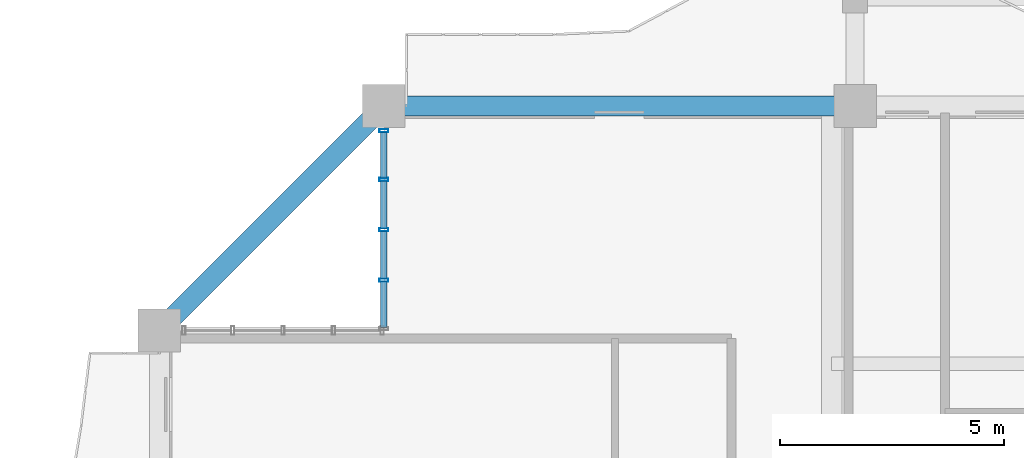
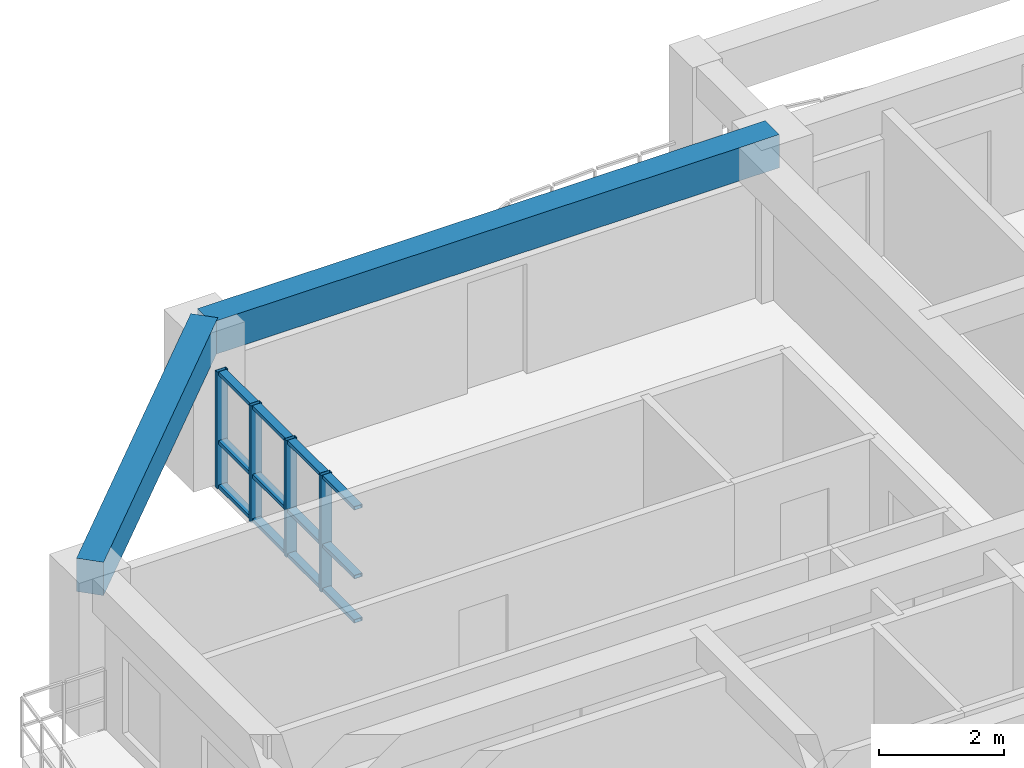
# One storey, part 7 of 23: 16 members, 2 beams, 1 element without a shape of its own.
"""IFC4 building model written with IfcOpenShell, lengths in metres."""

from ifc_helpers import new_model, si_unit, direction, frame, origin, origin_2d, place, context, subcontext, project, spatial, rectangle, hollow_rectangle, extrude, source, transform, mapped, material, layer, layer_set, material_profile, profile_set, type_object, element, aggregate, save


model = new_model("IFC4")

# Units and contexts
model_context = context("Model", 3, precision=1e-05, world=origin(), true_north=direction((0.0, 1.0)))
body_context = subcontext(model_context, "Body", "Model", "MODEL_VIEW")
ifc_project = project(units=[si_unit("LENGTHUNIT", "METRE"), si_unit("AREAUNIT", "SQUARE_METRE"), si_unit("VOLUMEUNIT", "CUBIC_METRE"), si_unit("PLANEANGLEUNIT", "RADIAN"), si_unit("MASSUNIT", "GRAM", prefix="KILO")], contexts=[model_context])

# Site, building, storey
site_placement = place(None, origin())
site = spatial("IfcSite", under=ifc_project, at=site_placement, CompositionType="ELEMENT")
building_placement = place(site_placement, origin())
building = spatial("IfcBuilding", under=site, at=building_placement, Name="Saelheon Loggia Tower", CompositionType="ELEMENT")
storey_placement = place(building_placement, frame((0.0, 0.0, 156.10009765625)))
storey = spatial("IfcBuildingStorey", under=building, at=storey_placement, Name="L49", CompositionType="ELEMENT", Elevation=156.10009765625)

# Beams
ifc_material_1 = material(Name="Concrete C40/50", Category="concrete")
ifc_material_profile_1 = material_profile(ifc_material_1, rectangle(XDim=0.449951171875, YDim=0.64990234375, at=origin_2d()), Name="RC-450x650")
ifc_profile_set_1 = profile_set([ifc_material_profile_1], Name="Concrete C40/50")
beam_type = type_object("IfcBeamType", Name="Beam_PerimTower_RC450x650", PredefinedType="BEAM", material=ifc_profile_set_1)
shared_shape_1 = source(origin(), body_context, "Body", "SweptSolid", [
    extrude(rectangle(XDim=0.449951171875, YDim=0.64990234375, at=origin_2d()), origin(), (0.0, 0.0, 1.0), 10.5),
])
beam_1_placement = place(storey_placement, frame((31.5, 48.0, 2.6748046875), z_axis=(-1.0, 0.0, 0.0), x_axis=(0.0, -1.0, 0.0)))
element("IfcBeam", 1, at=beam_1_placement, inside=storey, type_object=beam_type, Name="L49 Perimeter Frame Girder 11", PredefinedType="BEAM", context=body_context, shape_type="MappedRepresentation", body=[
    mapped(shared_shape_1, transform((0.0, 0.0, 0.0), scale=1.0)),
])
shared_shape_2 = source(origin(), body_context, "Body", "SweptSolid", [
    extrude(rectangle(XDim=0.449951171875, YDim=0.64990234375, at=origin_2d()), origin(), (0.0, 0.0, 1.0), 7.071044921875),
])
beam_2_placement = place(storey_placement, frame((21.0, 48.0, 2.6748046875), z_axis=(-0.707106781187, -0.707106781187, 0.0), x_axis=(0.707106781187, -0.707106781187, 0.0)))
element("IfcBeam", 2, at=beam_2_placement, inside=storey, type_object=beam_type, Name="L49 Perimeter Frame Girder 12", PredefinedType="BEAM", context=body_context, shape_type="MappedRepresentation", body=[
    mapped(shared_shape_2, transform((0.0, 0.0, 0.0), scale=1.0)),
])

# Curtain wall, members
ifc_material_2 = material(Name="High-Wind Aluminium and Triple Laminated Glass", Category="aluminium")
ifc_layer = layer(ifc_material_2, 0.179931640625)
ifc_layer_set = layer_set([ifc_layer], Name="High-Wind Aluminium and Triple Laminated Glass")
curtain_wall_type = type_object("IfcCurtainWallType", Name="CW_TowerLoggiaHigh", PredefinedType="NOTDEFINED", material=ifc_layer_set)
curtain_wall_placement = place(storey_placement, origin())
curtain_wall = element("IfcCurtainWall", 3, at=curtain_wall_placement, inside=storey, type_object=curtain_wall_type, Name="L49 Corner Notch Glazing NW1", PredefinedType="NOTDEFINED")
ifc_material_3 = material(Name="Anodised Aluminium 6063-T6", Category="aluminium")
ifc_material_profile_2 = material_profile(ifc_material_3, hollow_rectangle(XDim=0.070068359375, YDim=0.199951171875, WallThickness=0.0048828125, at=origin_2d()), Name="RHS-200x70x5")
ifc_profile_set_2 = profile_set([ifc_material_profile_2], Name="Anodised Aluminium 6063-T6")
member_type_1 = type_object("IfcMemberType", Name="CW_TowerLoggiaHigh_Mullion", PredefinedType="MULLION", material=ifc_profile_set_2)
shared_shape_3 = source(origin(), body_context, "Body", "SweptSolid", [
    extrude(hollow_rectangle(XDim=0.070068359375, YDim=0.199951171875, WallThickness=0.0048828125, at=origin_2d()), origin(), (0.0, 0.0, 1.0), 2.27978515625),
])
member_1_placement = place(storey_placement, frame((21.0, 44.121337890625, 0.0), z_axis=(0.0, 0.0, 1.0), x_axis=(0.0, 1.0, 0.0)))
member_1 = element("IfcMember", 4, at=member_1_placement, type_object=member_type_1, Name="CW4 mullion 2", PredefinedType="MULLION", context=body_context, shape_type="MappedRepresentation", body=[
    mapped(shared_shape_3, transform((0.0, 0.0, 0.0), scale=1.0)),
])
member_2_placement = place(storey_placement, frame((21.0, 45.242431640625, 0.0), z_axis=(0.0, 0.0, 1.0), x_axis=(0.0, 1.0, 0.0)))
member_2 = element("IfcMember", 5, at=member_2_placement, type_object=member_type_1, Name="CW4 mullion 3", PredefinedType="MULLION", context=body_context, shape_type="MappedRepresentation", body=[
    mapped(shared_shape_3, transform((0.0, 0.0, 0.0), scale=1.0)),
])
member_3_placement = place(storey_placement, frame((21.0, 46.36376953125, 0.0), z_axis=(0.0, 0.0, 1.0), x_axis=(0.0, 1.0, 0.0)))
member_3 = element("IfcMember", 6, at=member_3_placement, type_object=member_type_1, Name="CW4 mullion 4", PredefinedType="MULLION", context=body_context, shape_type="MappedRepresentation", body=[
    mapped(shared_shape_3, transform((0.0, 0.0, 0.0), scale=1.0)),
])
member_4_placement = place(storey_placement, frame((21.0, 47.449951171875, 0.0), z_axis=(0.0, 0.0, 1.0), x_axis=(0.0, 1.0, 0.0)))
member_4 = element("IfcMember", 7, at=member_4_placement, type_object=member_type_1, Name="CW4 mullion 5", PredefinedType="MULLION", context=body_context, shape_type="MappedRepresentation", body=[
    mapped(shared_shape_3, transform((0.0, 0.0, 0.0), scale=1.0)),
])
ifc_material_profile_3 = material_profile(ifc_material_3, hollow_rectangle(XDim=0.070068359375, YDim=0.14990234375, WallThickness=0.0048828125, at=origin_2d()), Name="RHS-150x70x5")
ifc_profile_set_3 = profile_set([ifc_material_profile_3], Name="Anodised Aluminium 6063-T6")
member_type_2 = type_object("IfcMemberType", Name="CW_TowerLoggiaHigh_Transom", PredefinedType="USERDEFINED", material=ifc_profile_set_3)
shared_shape_4 = source(origin(), body_context, "Body", "SweptSolid", [
    extrude(hollow_rectangle(XDim=0.070068359375, YDim=0.14990234375, WallThickness=0.0048828125, at=origin_2d()), origin(), (0.0, 0.0, 1.0), 1.016357421875),
])
member_5_placement = place(storey_placement, frame((21.0, 46.398681640625, 0.034912109375), z_axis=(0.0, 1.0, 0.0), x_axis=(0.0, 0.0, 1.0)))
member_5 = element("IfcMember", 8, at=member_5_placement, type_object=member_type_2, Name="CW4 transom 4.1", ObjectType="TRANSOM", PredefinedType="USERDEFINED", context=body_context, shape_type="MappedRepresentation", body=[
    mapped(shared_shape_4, transform((0.0, 0.0, 0.0), scale=1.0)),
])
member_6_placement = place(storey_placement, frame((21.0, 46.398681640625, 0.89990234375), z_axis=(0.0, 1.0, 0.0), x_axis=(0.0, 0.0, 1.0)))
member_6 = element("IfcMember", 9, at=member_6_placement, type_object=member_type_2, Name="CW4 transom 4.2", ObjectType="TRANSOM", PredefinedType="USERDEFINED", context=body_context, shape_type="MappedRepresentation", body=[
    mapped(shared_shape_4, transform((0.0, 0.0, 0.0), scale=1.0)),
])
member_7_placement = place(storey_placement, frame((21.0, 46.398681640625, 2.244873046875), z_axis=(0.0, 1.0, 0.0), x_axis=(0.0, 0.0, 1.0)))
member_7 = element("IfcMember", 10, at=member_7_placement, type_object=member_type_2, Name="CW4 transom 4.3", ObjectType="TRANSOM", PredefinedType="USERDEFINED", context=body_context, shape_type="MappedRepresentation", body=[
    mapped(shared_shape_4, transform((0.0, 0.0, 0.0), scale=1.0)),
])
shared_shape_5 = source(origin(), body_context, "Body", "SweptSolid", [
    extrude(hollow_rectangle(XDim=0.070068359375, YDim=0.14990234375, WallThickness=0.0048828125, at=origin_2d()), origin(), (0.0, 0.0, 1.0), 1.05126953125),
])
member_8_placement = place(storey_placement, frame((21.0, 44.15625, 0.034912109375), z_axis=(0.0, 1.0, 0.0), x_axis=(0.0, 0.0, 1.0)))
member_8 = element("IfcMember", 11, at=member_8_placement, type_object=member_type_2, Name="CW4 transom 2.1", ObjectType="TRANSOM", PredefinedType="USERDEFINED", context=body_context, shape_type="MappedRepresentation", body=[
    mapped(shared_shape_5, transform((0.0, 0.0, 0.0), scale=1.0)),
])
member_9_placement = place(storey_placement, frame((21.0, 44.15625, 0.89990234375), z_axis=(0.0, 1.0, 0.0), x_axis=(0.0, 0.0, 1.0)))
member_9 = element("IfcMember", 12, at=member_9_placement, type_object=member_type_2, Name="CW4 transom 2.2", ObjectType="TRANSOM", PredefinedType="USERDEFINED", context=body_context, shape_type="MappedRepresentation", body=[
    mapped(shared_shape_5, transform((0.0, 0.0, 0.0), scale=1.0)),
])
member_10_placement = place(storey_placement, frame((21.0, 44.15625, 2.244873046875), z_axis=(0.0, 1.0, 0.0), x_axis=(0.0, 0.0, 1.0)))
member_10 = element("IfcMember", 13, at=member_10_placement, type_object=member_type_2, Name="CW4 transom 2.3", ObjectType="TRANSOM", PredefinedType="USERDEFINED", context=body_context, shape_type="MappedRepresentation", body=[
    mapped(shared_shape_5, transform((0.0, 0.0, 0.0), scale=1.0)),
])
member_11_placement = place(storey_placement, frame((21.0, 45.277587890625, 0.034912109375), z_axis=(0.0, 1.0, 0.0), x_axis=(0.0, 0.0, 1.0)))
member_11 = element("IfcMember", 14, at=member_11_placement, type_object=member_type_2, Name="CW4 transom 3.1", ObjectType="TRANSOM", PredefinedType="USERDEFINED", context=body_context, shape_type="MappedRepresentation", body=[
    mapped(shared_shape_5, transform((0.0, 0.0, 0.0), scale=1.0)),
])
member_12_placement = place(storey_placement, frame((21.0, 45.277587890625, 0.89990234375), z_axis=(0.0, 1.0, 0.0), x_axis=(0.0, 0.0, 1.0)))
member_12 = element("IfcMember", 15, at=member_12_placement, type_object=member_type_2, Name="CW4 transom 3.2", ObjectType="TRANSOM", PredefinedType="USERDEFINED", context=body_context, shape_type="MappedRepresentation", body=[
    mapped(shared_shape_5, transform((0.0, 0.0, 0.0), scale=1.0)),
])
member_13_placement = place(storey_placement, frame((21.0, 45.277587890625, 2.244873046875), z_axis=(0.0, 1.0, 0.0), x_axis=(0.0, 0.0, 1.0)))
member_13 = element("IfcMember", 16, at=member_13_placement, type_object=member_type_2, Name="CW4 transom 3.3", ObjectType="TRANSOM", PredefinedType="USERDEFINED", context=body_context, shape_type="MappedRepresentation", body=[
    mapped(shared_shape_5, transform((0.0, 0.0, 0.0), scale=1.0)),
])
shared_shape_6 = source(origin(), body_context, "Body", "SweptSolid", [
    extrude(hollow_rectangle(XDim=0.070068359375, YDim=0.14990234375, WallThickness=0.0048828125, at=origin_2d()), origin(), (0.0, 0.0, 1.0), 1.01611328125),
])
member_14_placement = place(storey_placement, frame((21.0, 43.070068359375, 0.034912109375), z_axis=(0.0, 1.0, 0.0), x_axis=(0.0, 0.0, 1.0)))
member_14 = element("IfcMember", 17, at=member_14_placement, type_object=member_type_2, Name="CW4 transom 1.1", ObjectType="TRANSOM", PredefinedType="USERDEFINED", context=body_context, shape_type="MappedRepresentation", body=[
    mapped(shared_shape_6, transform((0.0, 0.0, 0.0), scale=1.0)),
])
member_15_placement = place(storey_placement, frame((21.0, 43.070068359375, 0.89990234375), z_axis=(0.0, 1.0, 0.0), x_axis=(0.0, 0.0, 1.0)))
member_15 = element("IfcMember", 18, at=member_15_placement, type_object=member_type_2, Name="CW4 transom 1.2", ObjectType="TRANSOM", PredefinedType="USERDEFINED", context=body_context, shape_type="MappedRepresentation", body=[
    mapped(shared_shape_6, transform((0.0, 0.0, 0.0), scale=1.0)),
])
member_16_placement = place(storey_placement, frame((21.0, 43.070068359375, 2.244873046875), z_axis=(0.0, 1.0, 0.0), x_axis=(0.0, 0.0, 1.0)))
member_16 = element("IfcMember", 19, at=member_16_placement, type_object=member_type_2, Name="CW4 transom 1.3", ObjectType="TRANSOM", PredefinedType="USERDEFINED", context=body_context, shape_type="MappedRepresentation", body=[
    mapped(shared_shape_6, transform((0.0, 0.0, 0.0), scale=1.0)),
])
aggregate(curtain_wall, [member_1, member_2, member_3, member_4, member_14, member_15, member_16, member_8, member_9, member_10, member_11, member_12, member_13, member_5, member_6, member_7])

save(model, "model.ifc")
